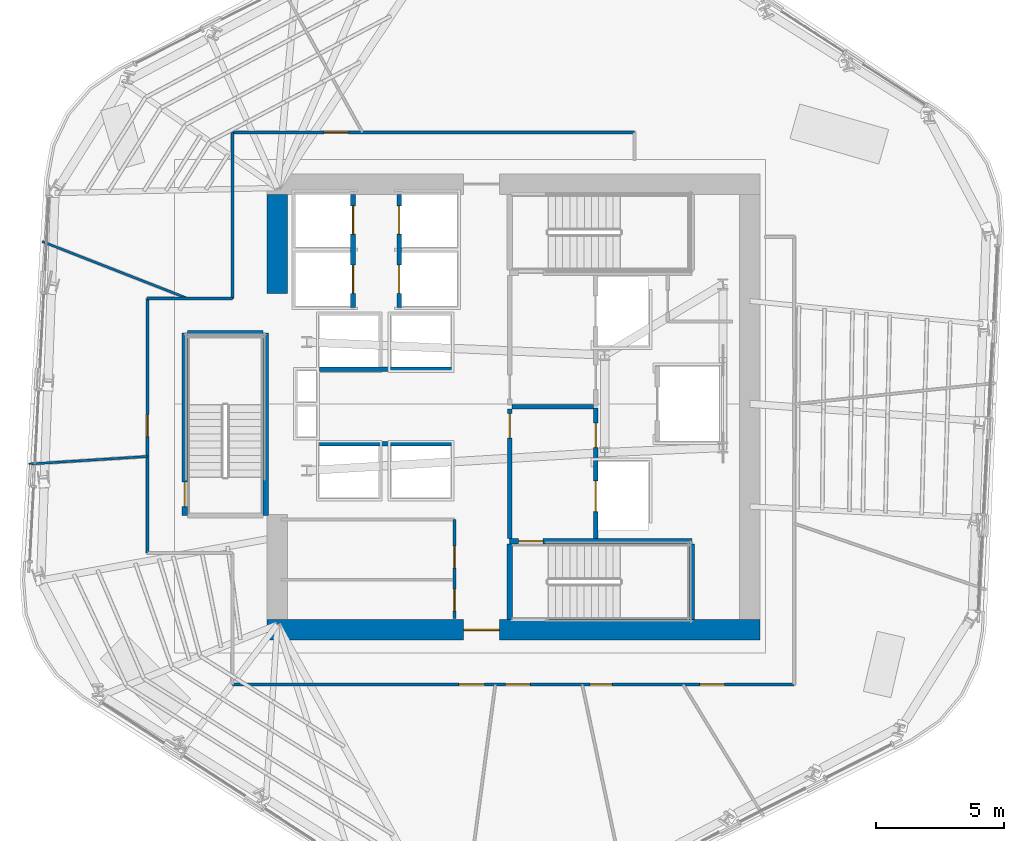
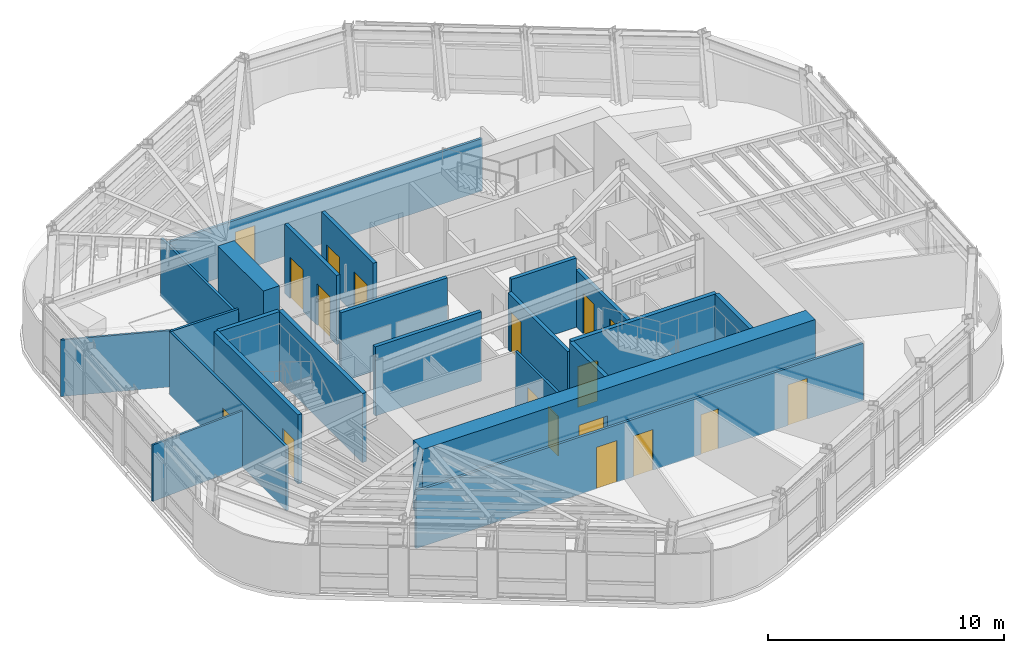
# One storey, part 7 of 14: 23 walls, 18 doors, 18 openings.
"""IFC4 building model written with IfcOpenShell, lengths in metres."""

from ifc_helpers import new_model, si_unit, direction, frame, frame_2d, origin, place, context, subcontext, project, spatial, rectangle, extrude, material, layer, layer_set, type_object, element, fill, save


model = new_model("IFC4")

# Units and contexts
model_context = context("Model", 3, precision=1e-05, world=origin(), true_north=direction((0.0, 1.0)))
body_context = subcontext(model_context, "Body", "Model", "MODEL_VIEW")
ifc_project = project(units=[si_unit("LENGTHUNIT", "METRE"), si_unit("AREAUNIT", "SQUARE_METRE"), si_unit("VOLUMEUNIT", "CUBIC_METRE"), si_unit("PLANEANGLEUNIT", "RADIAN"), si_unit("MASSUNIT", "GRAM", prefix="KILO")], contexts=[model_context])

# Site, building, storey
site_placement = place(None, origin())
site = spatial("IfcSite", under=ifc_project, at=site_placement, CompositionType="ELEMENT")
building_placement = place(site_placement, origin())
building = spatial("IfcBuilding", under=site, at=building_placement, Name="Valkerne Bourse Tower", CompositionType="ELEMENT")
storey_placement = place(building_placement, frame((0.0, 0.0, 140.0)))
storey = spatial("IfcBuildingStorey", under=building, at=storey_placement, Name="L35", CompositionType="ELEMENT", Elevation=140.0)

# Wall, opening, door
ifc_material_1 = material(Name="Concrete C55/67", Category="concrete")
ifc_layer_1 = layer(ifc_material_1, 0.800048828125)
ifc_layer_set_1 = layer_set([ifc_layer_1], Name="Concrete C55/67")
wall_type_1 = type_object("IfcWallType", Name="W-CORE-800", PredefinedType="SHEAR", material=ifc_layer_set_1)
wall_1_placement = place(storey_placement, frame((37.199951171875, 18.199951171875, 0.0), z_axis=(0.0, 0.0, 1.0), x_axis=(1.0, 0.0, 0.0)))
wall_1 = element("IfcWall", 1, at=wall_1_placement, inside=storey, type_object=wall_type_1, Name="L35 Core Shear Wall SOUTH", PredefinedType="SHEAR", context=body_context, shape_type="SweptSolid", body=[
    extrude(rectangle(XDim=19.199951171875, YDim=0.800048828125, at=frame_2d((9.60009765625, 0.0))), origin(), (0.0, 0.0, 1.0), 3.580078125),
])
opening_1_placement = place(wall_1_placement, frame((7.64990234375, 0.0, 0.0)))
opening_1 = element("IfcOpeningElement", 2, at=opening_1_placement, cuts=wall_1, Name="Opening D-PL-1400", PredefinedType="OPENING", context=body_context, shape_type="SweptSolid", body=[
    extrude(rectangle(XDim=1.39990234375, YDim=2.14990234375, at=frame_2d((0.699951171875, 1.074951171875))), frame((0.0, 0.409912109375, 0.0), z_axis=(0.0, -1.0, 0.0), x_axis=(1.0, 0.0, 0.0)), (0.0, 0.0, 1.0), 0.820068359375),
])
ifc_material_2 = material(Name="Galvanised Painted Steel", Category="steel")
door_type_1 = type_object("IfcDoorType", Name="DR-PLT-1400", OperationType="DOUBLE_DOOR_SINGLE_SWING", PredefinedType="DOOR", material=ifc_material_2)
door_1_placement = place(opening_1_placement, origin())
door_1 = element("IfcDoor", 3, at=door_1_placement, inside=storey, type_object=door_type_1, Name="L35 South Passenger Lift Hall Fire Door", OperationType="DOUBLE_DOOR_SINGLE_SWING", OverallHeight=2.14990234375, OverallWidth=1.39990234375, PredefinedType="DOOR", context=body_context, shape_type="SweptSolid", body=[
    extrude(rectangle(XDim=1.39990234375, YDim=2.14990234375, at=frame_2d((0.699951171875, 1.074951171875))), frame((0.0, 0.02490234375, 0.0), z_axis=(0.0, -1.0, 0.0), x_axis=(1.0, 0.0, 0.0)), (0.0, 0.0, 1.0), 0.050048828125),
])
fill(opening_1, door_1)

# Wall
wall_2_placement = place(storey_placement, frame((37.60009765625, 31.300048828125, 0.0), z_axis=(0.0, 0.0, 1.0), x_axis=(0.0, 1.0, 0.0)))
element("IfcWall", 4, at=wall_2_placement, inside=storey, type_object=wall_type_1, Name="L35 Core Shear Wall WEST-N", PredefinedType="SHEAR", context=body_context, shape_type="SweptSolid", body=[
    extrude(rectangle(XDim=3.849853515625, YDim=0.800048828125, at=frame_2d((1.9248046875, 0.0))), origin(), (0.0, 0.0, 1.0), 3.580078125),
])

# Wall, openings, doors
ifc_material_3 = material(Name="Gypsum Board Steel-Stud Partition", Category="steel")
ifc_layer_2 = layer(ifc_material_3, 0.117919921875)
ifc_layer_set_2 = layer_set([ifc_layer_2], Name="Gypsum Board Steel-Stud Partition")
wall_type_2 = type_object("IfcWallType", Name="W-CORR-140", PredefinedType="PARTITIONING", material=ifc_layer_set_2)
wall_3_placement = place(storey_placement, frame((44.5, 18.64990234375, 0.0), z_axis=(0.0, 0.0, 1.0), x_axis=(0.0, 1.0, 0.0)))
wall_3 = element("IfcWall", 5, at=wall_3_placement, inside=storey, type_object=wall_type_2, Name="L35 LV7 Low-Bank East Wall", PredefinedType="PARTITIONING", context=body_context, shape_type="SweptSolid", body=[
    extrude(rectangle(XDim=3.85009765625, YDim=0.117919921875, at=frame_2d((1.925048828125, 0.0))), origin(), (0.0, 0.0, 1.0), 3.280029296875),
])
opening_2_placement = place(wall_3_placement, frame((0.280029296875, 0.0, 0.0)))
opening_2 = element("IfcOpeningElement", 6, at=opening_2_placement, cuts=wall_3, Name="Opening D-WC-900", PredefinedType="OPENING", context=body_context, shape_type="SweptSolid", body=[
    extrude(rectangle(XDim=0.860107421875, YDim=2.050048828125, at=frame_2d((0.43017578125, 1.02490234375))), frame((0.0, 0.06884765625, 0.0), z_axis=(0.0, -1.0, 0.0), x_axis=(1.0, 0.0, 0.0)), (0.0, 0.0, 1.0), 0.137939453125),
])
opening_3_placement = place(wall_3_placement, frame((1.949951171875, 0.0, 0.0)))
opening_3 = element("IfcOpeningElement", 7, at=opening_3_placement, cuts=wall_3, Name="Opening D-WC-900", PredefinedType="OPENING", context=body_context, shape_type="SweptSolid", body=[
    extrude(rectangle(XDim=0.860107421875, YDim=2.050048828125, at=frame_2d((0.43017578125, 1.02490234375))), frame((0.0, 0.06884765625, 0.0), z_axis=(0.0, -1.0, 0.0), x_axis=(1.0, 0.0, 0.0)), (0.0, 0.0, 1.0), 0.137939453125),
])
ifc_material_4 = material(Name="Architectural White Oak Timber", Category="wood")
door_type_2 = type_object("IfcDoorType", Name="DR-WC-900", OperationType="NOTDEFINED", PredefinedType="DOOR", material=ifc_material_4)
door_2_placement = place(opening_2_placement, origin())
door_2 = element("IfcDoor", 8, at=door_2_placement, inside=storey, type_object=door_type_2, Name="L35 Tea Pantry Door", OperationType="SINGLE_SWING_RIGHT", OverallHeight=2.050048828125, OverallWidth=0.860107421875, PredefinedType="DOOR", context=body_context, shape_type="SweptSolid", body=[
    extrude(rectangle(XDim=0.860107421875, YDim=2.050048828125, at=frame_2d((0.43017578125, 1.02490234375))), frame((0.0, 0.02490234375, 0.0), z_axis=(0.0, -1.0, 0.0), x_axis=(1.0, 0.0, 0.0)), (0.0, 0.0, 1.0), 0.050048828125),
])
fill(opening_2, door_2)
door_3_placement = place(opening_3_placement, origin())
door_3 = element("IfcDoor", 9, at=door_3_placement, inside=storey, type_object=door_type_2, Name="L35 Portfolio Risk Office Door", OperationType="SINGLE_SWING_RIGHT", OverallHeight=2.050048828125, OverallWidth=0.860107421875, PredefinedType="DOOR", context=body_context, shape_type="SweptSolid", body=[
    extrude(rectangle(XDim=0.860107421875, YDim=2.050048828125, at=frame_2d((0.43017578125, 1.02490234375))), frame((0.0, 0.02490234375, 0.0), z_axis=(0.0, -1.0, 0.0), x_axis=(1.0, 0.0, 0.0)), (0.0, 0.0, 1.0), 0.050048828125),
])
fill(opening_3, door_3)

# Wall, opening, door
wall_4_placement = place(storey_placement, frame((32.550048828125, 21.199951171875, 0.0), z_axis=(0.0, 0.0, 1.0), x_axis=(0.0, 1.0, 0.0)))
wall_4 = element("IfcWall", 10, at=wall_4_placement, inside=storey, type_object=wall_type_2, Name="L35 Corridor Enclosure Wall", PredefinedType="PARTITIONING", context=body_context, shape_type="SweptSolid", body=[
    extrude(rectangle(XDim=9.900146484375, YDim=0.117919921875, at=frame_2d((4.9501953125, 0.0))), origin(), (0.0, 0.0, 1.0), 3.280029296875),
])
opening_4_placement = place(wall_4_placement, frame((4.52001953125, 0.0, 0.0)))
opening_4 = element("IfcOpeningElement", 11, at=opening_4_placement, cuts=wall_4, Name="Opening D-WC-900", PredefinedType="OPENING", context=body_context, shape_type="SweptSolid", body=[
    extrude(rectangle(XDim=0.860107421875, YDim=2.050048828125, at=frame_2d((0.43017578125, 1.02490234375))), frame((0.0, 0.06884765625, 0.0), z_axis=(0.0, -1.0, 0.0), x_axis=(1.0, 0.0, 0.0)), (0.0, 0.0, 1.0), 0.137939453125),
])
door_4_placement = place(opening_4_placement, origin())
door_4 = element("IfcDoor", 12, at=door_4_placement, inside=storey, type_object=door_type_2, Name="L35 L35 Women Restroom & Shower WC 2 Door", OperationType="SINGLE_SWING_RIGHT", OverallHeight=2.050048828125, OverallWidth=0.860107421875, PredefinedType="DOOR", context=body_context, shape_type="SweptSolid", body=[
    extrude(rectangle(XDim=0.860107421875, YDim=2.050048828125, at=frame_2d((0.43017578125, 1.02490234375))), frame((0.0, 0.02490234375, 0.0), z_axis=(0.0, -1.0, 0.0), x_axis=(1.0, 0.0, 0.0)), (0.0, 0.0, 1.0), 0.050048828125),
])
fill(opening_4, door_4)

# Walls
wall_5_placement = place(storey_placement, frame((32.550048828125, 31.10009765625, 0.0), z_axis=(0.0, 0.0, 1.0), x_axis=(1.0, 0.0, 0.0)))
element("IfcWall", 13, at=wall_5_placement, inside=storey, type_object=wall_type_2, Name="L35 Corridor Enclosure Wall", PredefinedType="PARTITIONING", context=body_context, shape_type="SweptSolid", body=[
    extrude(rectangle(XDim=3.300048828125, YDim=0.117919921875, at=frame_2d((1.64990234375, 0.0))), origin(), (0.0, 0.0, 1.0), 3.280029296875),
])
wall_6_placement = place(storey_placement, frame((35.85009765625, 31.10009765625, 0.0), z_axis=(0.0, 0.0, 1.0), x_axis=(0.0, 1.0, 0.0)))
element("IfcWall", 14, at=wall_6_placement, inside=storey, type_object=wall_type_2, Name="L35 Corridor Enclosure Wall", PredefinedType="PARTITIONING", context=body_context, shape_type="SweptSolid", body=[
    extrude(rectangle(XDim=6.4599609375, YDim=0.117919921875, at=frame_2d((3.22998046875, 0.0))), origin(), (0.0, 0.0, 1.0), 3.021484375),
])

# Wall, opening, door
wall_7_placement = place(storey_placement, frame((35.85009765625, 37.56005859375, 0.0), z_axis=(0.0, 0.0, 1.0), x_axis=(1.0, 0.0, 0.0)))
wall_7 = element("IfcWall", 15, at=wall_7_placement, inside=storey, type_object=wall_type_2, Name="L35 Corridor Enclosure Wall", PredefinedType="PARTITIONING", context=body_context, shape_type="SweptSolid", body=[
    extrude(rectangle(XDim=15.64990234375, YDim=0.117919921875, at=frame_2d((7.824951171875, 0.0))), origin(), (0.0, 0.0, 1.0), 2.711669921875),
])
opening_5_placement = place(wall_7_placement, frame((3.570068359375, 0.0, 0.0)))
opening_5 = element("IfcOpeningElement", 16, at=opening_5_placement, cuts=wall_7, Name="Opening D-OF-950", PredefinedType="OPENING", context=body_context, shape_type="SweptSolid", body=[
    extrude(rectangle(XDim=0.949951171875, YDim=2.10009765625, at=frame_2d((0.47509765625, 1.050048828125))), frame((0.0, 0.06884765625, 0.0), z_axis=(0.0, -1.0, 0.0), x_axis=(1.0, 0.0, 0.0)), (0.0, 0.0, 1.0), 0.137939453125),
])
door_type_3 = type_object("IfcDoorType", Name="DR-OFF-950", OperationType="NOTDEFINED", PredefinedType="DOOR", material=ifc_material_4)
door_5_placement = place(opening_5_placement, origin())
door_5 = element("IfcDoor", 17, at=door_5_placement, inside=storey, type_object=door_type_3, Name="L35 L35 VIP Client Concierge Reception 6 Door", OperationType="SINGLE_SWING_LEFT", OverallHeight=2.10009765625, OverallWidth=0.949951171875, PredefinedType="DOOR", context=body_context, shape_type="SweptSolid", body=[
    extrude(rectangle(XDim=0.949951171875, YDim=2.10009765625, at=frame_2d((0.47509765625, 1.050048828125))), frame((0.0, 0.02490234375, 0.0), z_axis=(0.0, -1.0, 0.0), x_axis=(1.0, 0.0, 0.0)), (0.0, 0.0, 1.0), 0.050048828125),
])
fill(opening_5, door_5)

# Wall, openings, doors
wall_8_placement = place(storey_placement, frame((57.719970703125, 16.080078125, 0.0), z_axis=(0.0, 0.0, 1.0), x_axis=(-1.0, 0.0, 0.0)))
wall_8 = element("IfcWall", 18, at=wall_8_placement, inside=storey, type_object=wall_type_2, Name="L35 Corridor Enclosure Wall", PredefinedType="PARTITIONING", context=body_context, shape_type="SweptSolid", body=[
    extrude(rectangle(XDim=21.869873046875, YDim=0.117919921875, at=frame_2d((10.93505859375, 0.0))), origin(), (0.0, 0.0, 1.0), 2.962890625),
])
opening_6_placement = place(wall_8_placement, frame((7.0849609375, 0.0, 0.0)))
opening_6 = element("IfcOpeningElement", 19, at=opening_6_placement, cuts=wall_8, Name="Opening D-WC-900", PredefinedType="OPENING", context=body_context, shape_type="SweptSolid", body=[
    extrude(rectangle(XDim=0.860107421875, YDim=2.050048828125, at=frame_2d((0.43017578125, 1.02490234375))), frame((0.0, 0.06884765625, 0.0), z_axis=(0.0, -1.0, 0.0), x_axis=(1.0, 0.0, 0.0)), (0.0, 0.0, 1.0), 0.137939453125),
])
opening_7_placement = place(wall_8_placement, frame((10.280029296875, 0.0, 0.0)))
opening_7 = element("IfcOpeningElement", 20, at=opening_7_placement, cuts=wall_8, Name="Opening D-OF-950", PredefinedType="OPENING", context=body_context, shape_type="SweptSolid", body=[
    extrude(rectangle(XDim=0.949951171875, YDim=2.10009765625, at=frame_2d((0.47509765625, 1.050048828125))), frame((0.0, 0.06884765625, 0.0), z_axis=(0.0, -1.0, 0.0), x_axis=(1.0, 0.0, 0.0)), (0.0, 0.0, 1.0), 0.137939453125),
])
opening_8_placement = place(wall_8_placement, frame((2.719970703125, 0.0, 0.0)))
opening_8 = element("IfcOpeningElement", 21, at=opening_8_placement, cuts=wall_8, Name="Opening D-OF-950", PredefinedType="OPENING", context=body_context, shape_type="SweptSolid", body=[
    extrude(rectangle(XDim=0.949951171875, YDim=2.10009765625, at=frame_2d((0.47509765625, 1.050048828125))), frame((0.0, 0.06884765625, 0.0), z_axis=(0.0, -1.0, 0.0), x_axis=(1.0, 0.0, 0.0)), (0.0, 0.0, 1.0), 0.137939453125),
])
opening_9_placement = place(wall_8_placement, frame((12.054931640625, 0.0, 0.0)))
opening_9 = element("IfcOpeningElement", 22, at=opening_9_placement, cuts=wall_8, Name="Opening D-MG-1000", PredefinedType="OPENING", context=body_context, shape_type="SweptSolid", body=[
    extrude(rectangle(XDim=1.0, YDim=2.14990234375, at=frame_2d((0.5, 1.074951171875))), frame((0.0, 0.06884765625, 0.0), z_axis=(0.0, -1.0, 0.0), x_axis=(1.0, 0.0, 0.0)), (0.0, 0.0, 1.0), 0.137939453125),
])
ifc_material_5 = material(Name="Laminated Tempered Safety Glass", Category="glass")
door_type_4 = type_object("IfcDoorType", Name="DR-MTG-1000", OperationType="NOTDEFINED", PredefinedType="DOOR", material=ifc_material_5)
door_6_placement = place(opening_9_placement, origin())
door_6 = element("IfcDoor", 23, at=door_6_placement, inside=storey, type_object=door_type_4, Name="L35 L35 Client Strategy Conference Room 7 Door", OperationType="SINGLE_SWING_LEFT", OverallHeight=2.14990234375, OverallWidth=1.0, PredefinedType="DOOR", context=body_context, shape_type="SweptSolid", body=[
    extrude(rectangle(XDim=1.0, YDim=2.14990234375, at=frame_2d((0.5, 1.074951171875))), frame((0.0, 0.02490234375, 0.0), z_axis=(0.0, -1.0, 0.0), x_axis=(1.0, 0.0, 0.0)), (0.0, 0.0, 1.0), 0.050048828125),
])
fill(opening_9, door_6)
door_7_placement = place(opening_7_placement, origin())
door_7 = element("IfcDoor", 24, at=door_7_placement, inside=storey, type_object=door_type_3, Name="L35 L35 Occupational Wellness Clinic 3 Door", OperationType="SINGLE_SWING_RIGHT", OverallHeight=2.10009765625, OverallWidth=0.949951171875, PredefinedType="DOOR", context=body_context, shape_type="SweptSolid", body=[
    extrude(rectangle(XDim=0.949951171875, YDim=2.10009765625, at=frame_2d((0.47509765625, 1.050048828125))), frame((0.0, 0.02490234375, 0.0), z_axis=(0.0, -1.0, 0.0), x_axis=(1.0, 0.0, 0.0)), (0.0, 0.0, 1.0), 0.050048828125),
])
fill(opening_7, door_7)
door_8_placement = place(opening_8_placement, origin())
door_8 = element("IfcDoor", 25, at=door_8_placement, inside=storey, type_object=door_type_3, Name="L35 L35 VIP Client Concierge Reception 5 Door", OperationType="SINGLE_SWING_RIGHT", OverallHeight=2.10009765625, OverallWidth=0.949951171875, PredefinedType="DOOR", context=body_context, shape_type="SweptSolid", body=[
    extrude(rectangle(XDim=0.949951171875, YDim=2.10009765625, at=frame_2d((0.47509765625, 1.050048828125))), frame((0.0, 0.02490234375, 0.0), z_axis=(0.0, -1.0, 0.0), x_axis=(1.0, 0.0, 0.0)), (0.0, 0.0, 1.0), 0.050048828125),
])
fill(opening_8, door_8)
door_9_placement = place(opening_6_placement, origin())
door_9 = element("IfcDoor", 26, at=door_9_placement, inside=storey, type_object=door_type_2, Name="L35 L35 Men Bathroom WC 1 Door", OperationType="SINGLE_SWING_RIGHT", OverallHeight=2.050048828125, OverallWidth=0.860107421875, PredefinedType="DOOR", context=body_context, shape_type="SweptSolid", body=[
    extrude(rectangle(XDim=0.860107421875, YDim=2.050048828125, at=frame_2d((0.43017578125, 1.02490234375))), frame((0.0, 0.02490234375, 0.0), z_axis=(0.0, -1.0, 0.0), x_axis=(1.0, 0.0, 0.0)), (0.0, 0.0, 1.0), 0.050048828125),
])
fill(opening_6, door_9)

# Wall
ifc_material_6 = material(Name="Gypsum Fire-Rated Shaftwall", Category="gypsum")
ifc_layer_3 = layer(ifc_material_6, 0.179931640625)
ifc_layer_set_3 = layer_set([ifc_layer_3], Name="Gypsum Fire-Rated Shaftwall")
wall_type_3 = type_object("IfcWallType", Name="W-FSAE-180", PredefinedType="PARTITIONING", material=ifc_layer_set_3)
wall_9_placement = place(storey_placement, frame((46.739990234375, 26.8798828125, 0.0), z_axis=(0.0, 0.0, 1.0), x_axis=(1.0, 0.0, 0.0)))
element("IfcWall", 27, at=wall_9_placement, inside=storey, type_object=wall_type_3, Name="L35 FSAE-1/2 Lobby Dividing Fire Wall", PredefinedType="PARTITIONING", context=body_context, shape_type="SweptSolid", body=[
    extrude(rectangle(XDim=3.169921875, YDim=0.179931640625, at=frame_2d((1.5849609375, 0.0))), origin(), (0.0, 0.0, 1.0), 3.580078125),
])

# Wall, opening, door
wall_10_placement = place(storey_placement, frame((46.64990234375, 21.75, 0.0), z_axis=(0.0, 0.0, 1.0), x_axis=(0.0, 1.0, 0.0)))
wall_10 = element("IfcWall", 28, at=wall_10_placement, inside=storey, type_object=wall_type_3, Name="L35 FSAE-1 Lobby West Fire Wall", PredefinedType="PARTITIONING", context=body_context, shape_type="SweptSolid", body=[
    extrude(rectangle(XDim=5.050048828125, YDim=0.179931640625, at=frame_2d((2.52490234375, 0.0))), origin(), (0.0, 0.0, 1.0), 2.9580078125),
])
opening_10_placement = place(wall_10_placement, frame((3.919921875, 0.0, 0.0)))
opening_10 = element("IfcOpeningElement", 29, at=opening_10_placement, cuts=wall_10, Name="Opening D-FS-950", PredefinedType="OPENING", context=body_context, shape_type="SweptSolid", body=[
    extrude(rectangle(XDim=0.949951171875, YDim=2.10009765625, at=frame_2d((0.47509765625, 1.050048828125))), frame((0.0, 0.099853515625, 0.0), z_axis=(0.0, -1.0, 0.0), x_axis=(1.0, 0.0, 0.0)), (0.0, 0.0, 1.0), 0.199951171875),
])
door_type_5 = type_object("IfcDoorType", Name="DR-FSAE-950", OperationType="NOTDEFINED", PredefinedType="DOOR", material=ifc_material_2)
door_10_placement = place(opening_10_placement, origin())
door_10 = element("IfcDoor", 30, at=door_10_placement, inside=storey, type_object=door_type_5, Name="L35 FSAE-1 Hall Link Fire Door", OperationType="SINGLE_SWING_LEFT", OverallHeight=2.10009765625, OverallWidth=0.949951171875, PredefinedType="DOOR", context=body_context, shape_type="SweptSolid", body=[
    extrude(rectangle(XDim=0.949951171875, YDim=2.10009765625, at=frame_2d((0.47509765625, 1.050048828125))), frame((0.0, 0.02490234375, 0.0), z_axis=(0.0, -1.0, 0.0), x_axis=(1.0, 0.0, 0.0)), (0.0, 0.0, 1.0), 0.050048828125),
])
fill(opening_10, door_10)

# Wall, openings, doors
wall_11_placement = place(storey_placement, frame((50.0, 21.75, 0.0), z_axis=(0.0, 0.0, 1.0), x_axis=(0.0, 1.0, 0.0)))
wall_11 = element("IfcWall", 31, at=wall_11_placement, inside=storey, type_object=wall_type_3, Name="L35 FSAE-1 Lobby & Shaft Front Wall", PredefinedType="PARTITIONING", context=body_context, shape_type="SweptSolid", body=[
    extrude(rectangle(XDim=5.090087890625, YDim=0.179931640625, at=frame_2d((2.544921875, 0.0))), origin(), (0.0, 0.0, 1.0), 2.9580078125),
])
opening_11_placement = place(wall_11_placement, frame((1.050048828125, 0.0, 0.0)))
opening_11 = element("IfcOpeningElement", 32, at=opening_11_placement, cuts=wall_11, Name="Opening LD-1200", PredefinedType="OPENING", context=body_context, shape_type="SweptSolid", body=[
    extrude(rectangle(XDim=1.199951171875, YDim=2.14990234375, at=frame_2d((0.60009765625, 1.074951171875))), frame((0.0, 0.099853515625, 0.0), z_axis=(0.0, -1.0, 0.0), x_axis=(1.0, 0.0, 0.0)), (0.0, 0.0, 1.0), 0.199951171875),
])
opening_12_placement = place(wall_11_placement, frame((3.550048828125, 0.0, 0.0)))
opening_12 = element("IfcOpeningElement", 33, at=opening_12_placement, cuts=wall_11, Name="Opening D-FS-950", PredefinedType="OPENING", context=body_context, shape_type="SweptSolid", body=[
    extrude(rectangle(XDim=0.949951171875, YDim=2.10009765625, at=frame_2d((0.47509765625, 1.050048828125))), frame((0.0, 0.099853515625, 0.0), z_axis=(0.0, -1.0, 0.0), x_axis=(1.0, 0.0, 0.0)), (0.0, 0.0, 1.0), 0.199951171875),
])
door_11_placement = place(opening_12_placement, origin())
door_11 = element("IfcDoor", 34, at=door_11_placement, inside=storey, type_object=door_type_5, Name="L35 FSAE-1 Lobby Corridor Fire Door", OperationType="SINGLE_SWING_LEFT", OverallHeight=2.10009765625, OverallWidth=0.949951171875, PredefinedType="DOOR", context=body_context, shape_type="SweptSolid", body=[
    extrude(rectangle(XDim=0.949951171875, YDim=2.10009765625, at=frame_2d((0.47509765625, 1.050048828125))), frame((0.0, 0.02490234375, 0.0), z_axis=(0.0, -1.0, 0.0), x_axis=(1.0, 0.0, 0.0)), (0.0, 0.0, 1.0), 0.050048828125),
])
fill(opening_12, door_11)
ifc_material_7 = material(Name="Stainless Steel AISI 316", Category="steel")
door_type_6 = type_object("IfcDoorType", Name="DR-LIFT-1200", OperationType="DOUBLE_DOOR_SLIDING", PredefinedType="DOOR", material=ifc_material_7)
door_12_placement = place(opening_11_placement, origin())
door_12 = element("IfcDoor", 35, at=door_12_placement, inside=storey, type_object=door_type_6, Name="L35 FSAE-1 Firefighting Lift Landing Door", OperationType="DOUBLE_DOOR_SLIDING", OverallHeight=2.14990234375, OverallWidth=1.199951171875, PredefinedType="DOOR", context=body_context, shape_type="SweptSolid", body=[
    extrude(rectangle(XDim=1.199951171875, YDim=2.14990234375, at=frame_2d((0.60009765625, 1.074951171875))), frame((0.0, 0.02490234375, 0.0), z_axis=(0.0, -1.0, 0.0), x_axis=(1.0, 0.0, 0.0)), (0.0, 0.0, 1.0), 0.050048828125),
])
fill(opening_11, door_12)

ifc_material_8 = material(Name="CMU Blockwork Masonry 200mm", Category="masonry")
ifc_layer_4 = layer(ifc_material_8, 0.179931640625)
ifc_layer_set_4 = layer_set([ifc_layer_4], Name="CMU Blockwork Masonry 200mm")
wall_type_4 = type_object("IfcWallType", Name="W-LFT-180", PredefinedType="SOLIDWALL", material=ifc_layer_set_4)
wall_12_placement = place(storey_placement, frame((40.550048828125, 30.75, 0.0), z_axis=(0.0, 0.0, 1.0), x_axis=(0.0, 1.0, 0.0)))
wall_12 = element("IfcWall", 36, at=wall_12_placement, inside=storey, type_object=wall_type_4, Name="L35 Mid-Zone West Cars Front Wall", PredefinedType="SOLIDWALL", context=body_context, shape_type="SweptSolid", body=[
    extrude(rectangle(XDim=4.39990234375, YDim=0.179931640625, at=frame_2d((2.199951171875, 0.0))), origin(), (0.0, 0.0, 1.0), 3.580078125),
])
opening_13_placement = place(wall_12_placement, frame((0.550048828125, 0.0, 0.0)))
opening_13 = element("IfcOpeningElement", 37, at=opening_13_placement, cuts=wall_12, Name="Opening LD-1100", PredefinedType="OPENING", context=body_context, shape_type="SweptSolid", body=[
    extrude(rectangle(XDim=1.10009765625, YDim=2.14990234375, at=frame_2d((0.550048828125, 1.074951171875))), frame((0.0, 0.099853515625, 0.0), z_axis=(0.0, -1.0, 0.0), x_axis=(1.0, 0.0, 0.0)), (0.0, 0.0, 1.0), 0.199951171875),
])
opening_14_placement = place(wall_12_placement, frame((2.85009765625, 0.0, 0.0)))
opening_14 = element("IfcOpeningElement", 38, at=opening_14_placement, cuts=wall_12, Name="Opening LD-1100", PredefinedType="OPENING", context=body_context, shape_type="SweptSolid", body=[
    extrude(rectangle(XDim=1.10009765625, YDim=2.14990234375, at=frame_2d((0.550048828125, 1.074951171875))), frame((0.0, 0.099853515625, 0.0), z_axis=(0.0, -1.0, 0.0), x_axis=(1.0, 0.0, 0.0)), (0.0, 0.0, 1.0), 0.199951171875),
])
door_type_7 = type_object("IfcDoorType", Name="DR-LIFT-1100", OperationType="DOUBLE_DOOR_SLIDING", PredefinedType="DOOR", material=ifc_material_7)
door_13_placement = place(opening_13_placement, origin())
door_13 = element("IfcDoor", 39, at=door_13_placement, inside=storey, type_object=door_type_7, Name="L35 Passenger Lift PL-M1 Sliding Landing Door", OperationType="DOUBLE_DOOR_SLIDING", OverallHeight=2.14990234375, OverallWidth=1.10009765625, PredefinedType="DOOR", context=body_context, shape_type="SweptSolid", body=[
    extrude(rectangle(XDim=1.10009765625, YDim=2.14990234375, at=frame_2d((0.550048828125, 1.074951171875))), frame((0.0, 0.02490234375, 0.0), z_axis=(0.0, -1.0, 0.0), x_axis=(1.0, 0.0, 0.0)), (0.0, 0.0, 1.0), 0.050048828125),
])
fill(opening_13, door_13)
door_14_placement = place(opening_14_placement, origin())
door_14 = element("IfcDoor", 40, at=door_14_placement, inside=storey, type_object=door_type_7, Name="L35 Passenger Lift PL-M2 Sliding Landing Door", OperationType="DOUBLE_DOOR_SLIDING", OverallHeight=2.14990234375, OverallWidth=1.10009765625, PredefinedType="DOOR", context=body_context, shape_type="SweptSolid", body=[
    extrude(rectangle(XDim=1.10009765625, YDim=2.14990234375, at=frame_2d((0.550048828125, 1.074951171875))), frame((0.0, 0.02490234375, 0.0), z_axis=(0.0, -1.0, 0.0), x_axis=(1.0, 0.0, 0.0)), (0.0, 0.0, 1.0), 0.050048828125),
])
fill(opening_14, door_14)

wall_13_placement = place(storey_placement, frame((42.35009765625, 30.75, 0.0), z_axis=(0.0, 0.0, 1.0), x_axis=(0.0, 1.0, 0.0)))
wall_13 = element("IfcWall", 41, at=wall_13_placement, inside=storey, type_object=wall_type_4, Name="L35 Mid-Zone East Cars Front Wall", PredefinedType="SOLIDWALL", context=body_context, shape_type="SweptSolid", body=[
    extrude(rectangle(XDim=4.39990234375, YDim=0.179931640625, at=frame_2d((2.199951171875, 0.0))), origin(), (0.0, 0.0, 1.0), 3.580078125),
])
opening_15_placement = place(wall_13_placement, frame((0.550048828125, 0.0, 0.0)))
opening_15 = element("IfcOpeningElement", 42, at=opening_15_placement, cuts=wall_13, Name="Opening LD-1100", PredefinedType="OPENING", context=body_context, shape_type="SweptSolid", body=[
    extrude(rectangle(XDim=1.10009765625, YDim=2.14990234375, at=frame_2d((0.550048828125, 1.074951171875))), frame((0.0, 0.099853515625, 0.0), z_axis=(0.0, -1.0, 0.0), x_axis=(1.0, 0.0, 0.0)), (0.0, 0.0, 1.0), 0.199951171875),
])
opening_16_placement = place(wall_13_placement, frame((2.85009765625, 0.0, 0.0)))
opening_16 = element("IfcOpeningElement", 43, at=opening_16_placement, cuts=wall_13, Name="Opening LD-1100", PredefinedType="OPENING", context=body_context, shape_type="SweptSolid", body=[
    extrude(rectangle(XDim=1.10009765625, YDim=2.14990234375, at=frame_2d((0.550048828125, 1.074951171875))), frame((0.0, 0.099853515625, 0.0), z_axis=(0.0, -1.0, 0.0), x_axis=(1.0, 0.0, 0.0)), (0.0, 0.0, 1.0), 0.199951171875),
])
door_15_placement = place(opening_15_placement, origin())
door_15 = element("IfcDoor", 44, at=door_15_placement, inside=storey, type_object=door_type_7, Name="L35 Passenger Lift PL-M3 Sliding Landing Door", OperationType="DOUBLE_DOOR_SLIDING", OverallHeight=2.14990234375, OverallWidth=1.10009765625, PredefinedType="DOOR", context=body_context, shape_type="SweptSolid", body=[
    extrude(rectangle(XDim=1.10009765625, YDim=2.14990234375, at=frame_2d((0.550048828125, 1.074951171875))), frame((0.0, 0.02490234375, 0.0), z_axis=(0.0, -1.0, 0.0), x_axis=(1.0, 0.0, 0.0)), (0.0, 0.0, 1.0), 0.050048828125),
])
fill(opening_15, door_15)
door_16_placement = place(opening_16_placement, origin())
door_16 = element("IfcDoor", 45, at=door_16_placement, inside=storey, type_object=door_type_7, Name="L35 Passenger Lift PL-M4 Sliding Landing Door", OperationType="DOUBLE_DOOR_SLIDING", OverallHeight=2.14990234375, OverallWidth=1.10009765625, PredefinedType="DOOR", context=body_context, shape_type="SweptSolid", body=[
    extrude(rectangle(XDim=1.10009765625, YDim=2.14990234375, at=frame_2d((0.550048828125, 1.074951171875))), frame((0.0, 0.02490234375, 0.0), z_axis=(0.0, -1.0, 0.0), x_axis=(1.0, 0.0, 0.0)), (0.0, 0.0, 1.0), 0.050048828125),
])
fill(opening_16, door_16)

# Walls
for number, where, z_axis, x_axis, name in (
    (46, (39.25, 25.449951171875, 0.0), (0.0, 0.0, 1.0), (1.0, 0.0, 0.0), "L35 High-Zone South Cars Front Wall"),
    (47, (39.25, 28.35009765625, 0.0), (0.0, 0.0, 1.0), (1.0, 0.0, 0.0), "L35 High-Zone North Cars Front Wall"),
):
    element("IfcWall", number, at=place(storey_placement, frame(where, z_axis=z_axis, x_axis=x_axis)), inside=storey, type_object=wall_type_4, Name=name, PredefinedType="SOLIDWALL", context=body_context, shape_type="SweptSolid", body=[
        extrude(rectangle(XDim=5.199951171875, YDim=0.179931640625, at=frame_2d((2.60009765625, 0.0))), origin(), (0.0, 0.0, 1.0), 3.580078125),
    ])
ifc_layer_5 = layer(ifc_material_3, 0.092041015625)
ifc_layer_set_5 = layer_set([ifc_layer_5], Name="Gypsum Board Steel-Stud Partition")
wall_type_5 = type_object("IfcWallType", Name="W-PART-115", PredefinedType="PARTITIONING", material=ifc_layer_set_5)
wall_14_placement = place(storey_placement, frame((34.097900390625, 31.10498046875, 0.0), z_axis=(0.0, 0.0, 1.0), x_axis=(-0.931257033806, 0.364362919335, 0.0)))
element("IfcWall", 48, at=wall_14_placement, inside=storey, type_object=wall_type_5, Name="L35 Suite Partition P07", PredefinedType="PARTITIONING", context=body_context, shape_type="SweptSolid", body=[
    extrude(rectangle(XDim=6.064697265625, YDim=0.092041015625, at=frame_2d((3.0322265625, 0.0))), origin(), (0.0, 0.0, 1.0), 2.92236328125),
])
wall_15_placement = place(storey_placement, frame((32.544921875, 24.94873046875, 0.0), z_axis=(0.0, 0.0, 1.0), x_axis=(-0.997955066001, -0.06391937298, 0.0)))
element("IfcWall", 49, at=wall_15_placement, inside=storey, type_object=wall_type_5, Name="L35 Suite Partition P08", PredefinedType="PARTITIONING", context=body_context, shape_type="SweptSolid", body=[
    extrude(rectangle(XDim=4.62548828125, YDim=0.092041015625, at=frame_2d((2.312744140625, 0.0))), origin(), (0.0, 0.0, 1.0), 2.92236328125),
])

# Wall, opening, door
ifc_material_9 = material(Name="Concrete C40/50", Category="concrete")
ifc_layer_6 = layer(ifc_material_9, 0.199951171875)
ifc_layer_set_6 = layer_set([ifc_layer_6], Name="Concrete C40/50")
wall_type_6 = type_object("IfcWallType", Name="W-SHF-200", PredefinedType="SHEAR", material=ifc_layer_set_6)
wall_16_placement = place(storey_placement, frame((46.64990234375, 21.64990234375, 0.0), z_axis=(0.0, 0.0, 1.0), x_axis=(1.0, 0.0, 0.0)))
wall_16 = element("IfcWall", 50, at=wall_16_placement, inside=storey, type_object=wall_type_6, Name="L35 Exit Stair ST-1 Structural Shaft Wall North", PredefinedType="SHEAR", context=body_context, shape_type="SweptSolid", body=[
    extrude(rectangle(XDim=7.10009765625, YDim=0.199951171875, at=frame_2d((3.550048828125, 0.0))), origin(), (0.0, 0.0, 1.0), 3.580078125),
])
opening_17_placement = place(wall_16_placement, frame((0.35009765625, 0.0, 0.0)))
opening_17 = element("IfcOpeningElement", 51, at=opening_17_placement, cuts=wall_16, Name="Opening D-ST-950", PredefinedType="OPENING", context=body_context, shape_type="SweptSolid", body=[
    extrude(rectangle(XDim=0.949951171875, YDim=2.10009765625, at=frame_2d((0.47509765625, 1.050048828125))), frame((0.0, 0.10986328125, 0.0), z_axis=(0.0, -1.0, 0.0), x_axis=(1.0, 0.0, 0.0)), (0.0, 0.0, 1.0), 0.219970703125),
])
door_type_8 = type_object("IfcDoorType", Name="DR-STAIR-950", OperationType="NOTDEFINED", PredefinedType="DOOR", material=ifc_material_2)
door_17_placement = place(opening_17_placement, origin())
door_17 = element("IfcDoor", 52, at=door_17_placement, inside=storey, type_object=door_type_8, Name="L35 Exit Stair ST-1 Door", OperationType="SINGLE_SWING_LEFT", OverallHeight=2.10009765625, OverallWidth=0.949951171875, PredefinedType="DOOR", context=body_context, shape_type="SweptSolid", body=[
    extrude(rectangle(XDim=0.949951171875, YDim=2.10009765625, at=frame_2d((0.47509765625, 1.050048828125))), frame((0.0, 0.02490234375, 0.0), z_axis=(0.0, -1.0, 0.0), x_axis=(1.0, 0.0, 0.0)), (0.0, 0.0, 1.0), 0.050048828125),
])
fill(opening_17, door_17)

# Walls
for number, where, z_axis, x_axis, name in (
    (53, (46.64990234375, 18.60009765625, 0.0), (0.0, 0.0, 1.0), (0.0, 1.0, 0.0), "L35 Exit Stair ST-1 Structural Shaft Wall West"),
    (54, (53.75, 18.60009765625, 0.0), (0.0, 0.0, 1.0), (0.0, 1.0, 0.0), "L35 Exit Stair ST-1 Structural Shaft Wall East"),
):
    element("IfcWall", number, at=place(storey_placement, frame(where, z_axis=z_axis, x_axis=x_axis)), inside=storey, type_object=wall_type_6, Name=name, PredefinedType="SHEAR", context=body_context, shape_type="SweptSolid", body=[
        extrude(rectangle(XDim=2.949951171875, YDim=0.199951171875, at=frame_2d((1.47509765625, 0.0))), origin(), (0.0, 0.0, 1.0), 3.580078125),
    ])

# Wall, opening, door
wall_17_placement = place(storey_placement, frame((34.0, 22.64990234375, 0.0), z_axis=(0.0, 0.0, 1.0), x_axis=(0.0, 1.0, 0.0)))
wall_17 = element("IfcWall", 55, at=wall_17_placement, inside=storey, type_object=wall_type_6, Name="L35 Exit Stair ST-3 Structural Shaft Wall West", PredefinedType="SHEAR", context=body_context, shape_type="SweptSolid", body=[
    extrude(rectangle(XDim=7.10009765625, YDim=0.199951171875, at=frame_2d((3.550048828125, 0.0))), origin(), (0.0, 0.0, 1.0), 3.580078125),
])
opening_18_placement = place(wall_17_placement, frame((0.35009765625, 0.0, 0.0)))
opening_18 = element("IfcOpeningElement", 56, at=opening_18_placement, cuts=wall_17, Name="Opening D-ST-950", PredefinedType="OPENING", context=body_context, shape_type="SweptSolid", body=[
    extrude(rectangle(XDim=0.949951171875, YDim=2.10009765625, at=frame_2d((0.47509765625, 1.050048828125))), frame((0.0, 0.10986328125, 0.0), z_axis=(0.0, -1.0, 0.0), x_axis=(1.0, 0.0, 0.0)), (0.0, 0.0, 1.0), 0.219970703125),
])
door_18_placement = place(opening_18_placement, origin())
door_18 = element("IfcDoor", 57, at=door_18_placement, inside=storey, type_object=door_type_8, Name="L35 Exit Stair ST-3 Door", OperationType="SINGLE_SWING_LEFT", OverallHeight=2.10009765625, OverallWidth=0.949951171875, PredefinedType="DOOR", context=body_context, shape_type="SweptSolid", body=[
    extrude(rectangle(XDim=0.949951171875, YDim=2.10009765625, at=frame_2d((0.47509765625, 1.050048828125))), frame((0.0, 0.02490234375, 0.0), z_axis=(0.0, -1.0, 0.0), x_axis=(1.0, 0.0, 0.0)), (0.0, 0.0, 1.0), 0.050048828125),
])
fill(opening_18, door_18)

# Walls
wall_18_placement = place(storey_placement, frame((34.10009765625, 29.75, 0.0), z_axis=(0.0, 0.0, 1.0), x_axis=(1.0, 0.0, 0.0)))
element("IfcWall", 58, at=wall_18_placement, inside=storey, type_object=wall_type_6, Name="L35 Exit Stair ST-3 Structural Shaft Wall North", PredefinedType="SHEAR", context=body_context, shape_type="SweptSolid", body=[
    extrude(rectangle(XDim=2.949951171875, YDim=0.199951171875, at=frame_2d((1.47509765625, 0.0))), origin(), (0.0, 0.0, 1.0), 3.580078125),
])
wall_19_placement = place(storey_placement, frame((37.14990234375, 22.64990234375, 0.0), z_axis=(0.0, 0.0, 1.0), x_axis=(0.0, 1.0, 0.0)))
element("IfcWall", 59, at=wall_19_placement, inside=storey, type_object=wall_type_6, Name="L35 Exit Stair ST-3 Structural Shaft Wall East", PredefinedType="SHEAR", context=body_context, shape_type="SweptSolid", body=[
    extrude(rectangle(XDim=7.10009765625, YDim=0.199951171875, at=frame_2d((3.550048828125, 0.0))), origin(), (0.0, 0.0, 1.0), 3.580078125),
])

save(model, "model.ifc")
